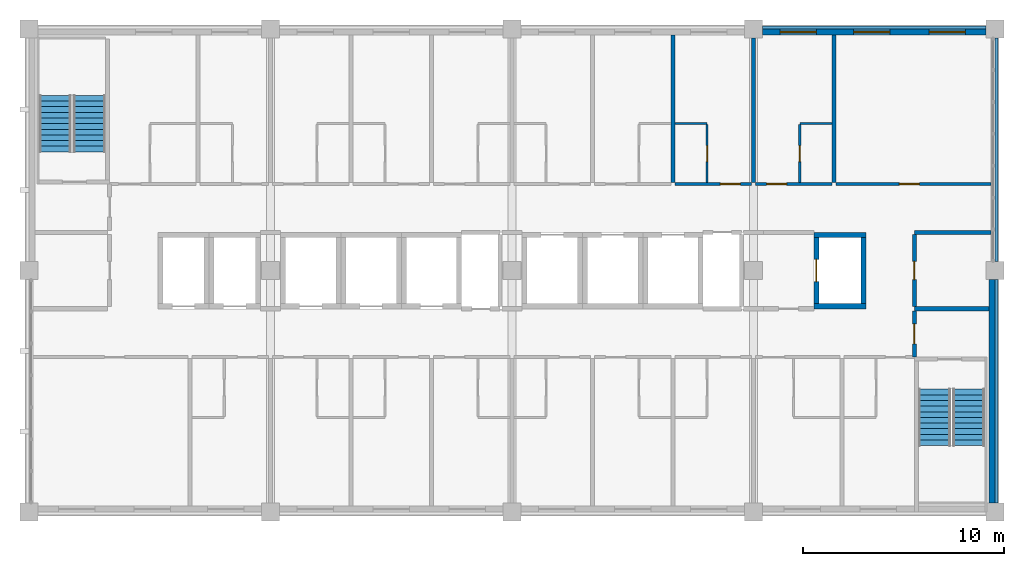
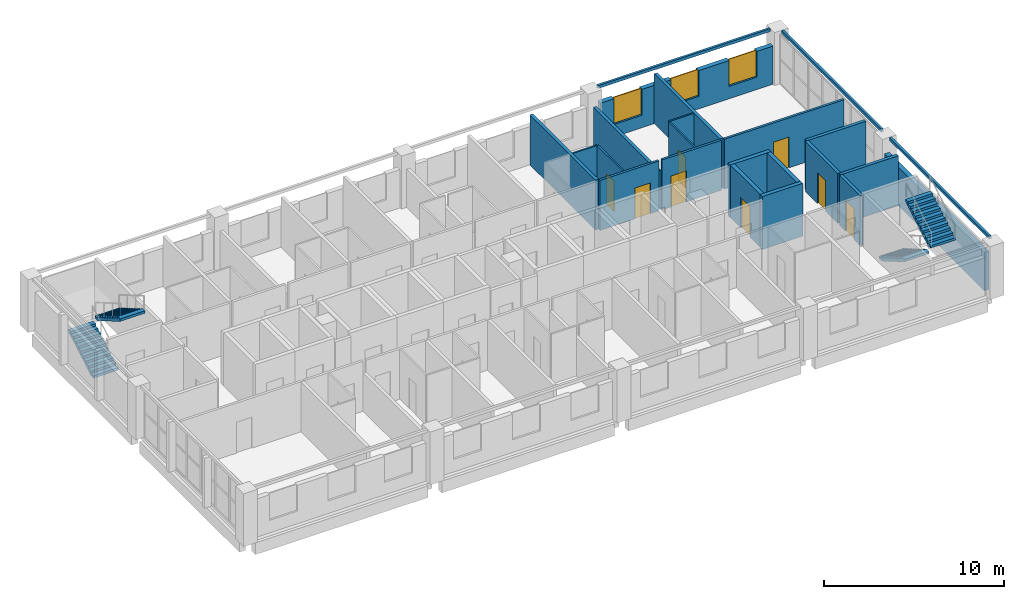
# One storey, part 10 of 11: 23 walls, 8 doors, 4 stair flights, 3 windows, 11 openings, 2 elements without a shape of their own.
"""IFC4 building model written with IfcOpenShell, lengths in metres."""

from ifc_helpers import new_model, si_unit, direction, frame, frame_2d, origin, place, context, subcontext, project, spatial, polyline, rectangle, outline, extrude, material, layer, layer_set, type_object, element, fill, aggregate, save


model = new_model("IFC4")

# Units and contexts
model_context = context("Model", 3, precision=1e-05, world=origin(), true_north=direction((0.0, 1.0)))
body_context = subcontext(model_context, "Body", "Model", "MODEL_VIEW")
ifc_project = project(units=[si_unit("LENGTHUNIT", "METRE"), si_unit("AREAUNIT", "SQUARE_METRE"), si_unit("VOLUMEUNIT", "CUBIC_METRE"), si_unit("PLANEANGLEUNIT", "RADIAN"), si_unit("MASSUNIT", "GRAM", prefix="KILO")], contexts=[model_context])

# Site, building, storey
site_placement = place(None, origin())
site = spatial("IfcSite", under=ifc_project, at=site_placement, CompositionType="ELEMENT")
building_placement = place(site_placement, origin())
building = spatial("IfcBuilding", under=site, at=building_placement, Name="Lilac Gate Convention Centre", CompositionType="ELEMENT")
storey_placement = place(building_placement, frame((0.0, 0.0, 24.60009765625)))
storey = spatial("IfcBuildingStorey", under=building, at=storey_placement, Name="L05", CompositionType="ELEMENT", Elevation=24.60009765625)

# Walls
ifc_material_1 = material(Name="Concrete C60", Category="concrete")
ifc_layer_1 = layer(ifc_material_1, 0.25)
ifc_layer_set_1 = layer_set([ifc_layer_1], Name="Concrete C60")
wall_type_1 = type_object("IfcWallType", Name="Core wall 250 C60", PredefinedType="SHEAR", material=ifc_layer_set_1)
for number, where, z_axis, x_axis, name in (
    (1, (81.0, 232.22509765625, 0.0), (0.0, 0.0, 1.0), (1.0, 0.0, 0.0), "CRW3 core wall TC L05 33"),
    (2, (81.0, 235.77490234375, 0.0), (0.0, 0.0, 1.0), (1.0, 0.0, 0.0), "CRW3 core wall TC L05 34"),
):
    element("IfcWall", number, at=place(storey_placement, frame(where, z_axis=z_axis, x_axis=x_axis)), inside=storey, type_object=wall_type_1, Name=name, PredefinedType="SHEAR", context=body_context, shape_type="SweptSolid", body=[
        extrude(rectangle(XDim=2.60009765625, YDim=0.25, at=frame_2d((1.300048828125, 0.0))), origin(), (0.0, 0.0, 1.0), 3.599853515625),
    ])

# Wall, opening, door
wall_1_placement = place(storey_placement, frame((81.125, 232.35009765625, 0.0), z_axis=(0.0, 0.0, 1.0), x_axis=(0.0, 1.0, 0.0)))
wall_1 = element("IfcWall", 3, at=wall_1_placement, inside=storey, type_object=wall_type_1, Name="CRW3 core wall TC L05 35", PredefinedType="SHEAR", context=body_context, shape_type="SweptSolid", body=[
    extrude(rectangle(XDim=3.2998046875, YDim=0.25, at=frame_2d((1.64990234375, 0.0))), origin(), (0.0, 0.0, 1.0), 3.599853515625),
])
opening_1_placement = place(wall_1_placement, frame((1.10009765625, 0.0, 0.0)))
opening_1 = element("IfcOpeningElement", 4, at=opening_1_placement, cuts=wall_1, Name="Opening T04-054", PredefinedType="OPENING", context=body_context, shape_type="SweptSolid", body=[
    extrude(rectangle(XDim=1.10009765625, YDim=2.10009765625, at=frame_2d((0.550048828125, 1.050048828125))), frame((0.0, 0.135009765625, 0.0), z_axis=(0.0, -1.0, 0.0), x_axis=(1.0, 0.0, 0.0)), (0.0, 0.0, 1.0), 0.27001953125),
])
ifc_material_2 = material(Name="Stainless steel 304", Category="steel")
door_type_1 = type_object("IfcDoorType", Name="Lift landing door 1100", OperationType="SLIDING_TO_LEFT", PredefinedType="DOOR", material=ifc_material_2)
door_1_placement = place(opening_1_placement, origin())
door_1 = element("IfcDoor", 5, at=door_1_placement, inside=storey, type_object=door_type_1, Name="Lift landing door TF1 L05", OperationType="SLIDING_TO_LEFT", OverallHeight=2.10009765625, OverallWidth=1.10009765625, PredefinedType="DOOR", context=body_context, shape_type="SweptSolid", body=[
    extrude(rectangle(XDim=1.10009765625, YDim=2.10009765625, at=frame_2d((0.550048828125, 1.050048828125))), frame((0.0, 0.02490234375, 0.0), z_axis=(0.0, -1.0, 0.0), x_axis=(1.0, 0.0, 0.0)), (0.0, 0.0, 1.0), 0.050048828125),
])
fill(opening_1, door_1)

# Wall
wall_2_placement = place(storey_placement, frame((83.47509765625, 232.35009765625, 0.0), z_axis=(0.0, 0.0, 1.0), x_axis=(0.0, 1.0, 0.0)))
element("IfcWall", 6, at=wall_2_placement, inside=storey, type_object=wall_type_1, Name="CRW3 core wall TC L05 36", PredefinedType="SHEAR", context=body_context, shape_type="SweptSolid", body=[
    extrude(rectangle(XDim=3.2998046875, YDim=0.25, at=frame_2d((1.64990234375, 0.0))), origin(), (0.0, 0.0, 1.0), 3.599853515625),
])

# Wall, opening, door
ifc_material_3 = material(Name="Gypsum board on steel stud", Category="steel")
ifc_layer_2 = layer(ifc_material_3, 0.14990234375)
ifc_layer_set_2 = layer_set([ifc_layer_2], Name="Gypsum board on steel stud")
wall_type_2 = type_object("IfcWallType", Name="Corridor wall 150", PredefinedType="PARTITIONING", material=ifc_layer_set_2)
wall_3_placement = place(storey_placement, frame((74.10009765625, 238.300048828125, 0.0), z_axis=(0.0, 0.0, 1.0), x_axis=(1.0, 0.0, 0.0)))
wall_3 = element("IfcWall", 7, at=wall_3_placement, inside=storey, type_object=wall_type_2, Name="Corridor wall 150 front 0518", PredefinedType="PARTITIONING", context=body_context, shape_type="SweptSolid", body=[
    extrude(rectangle(XDim=3.7998046875, YDim=0.14990234375, at=frame_2d((1.89990234375, 0.0))), origin(), (0.0, 0.0, 1.0), 3.39990234375),
])
opening_2_placement = place(wall_3_placement, frame((2.25, 0.0, 0.0)))
opening_2 = element("IfcOpeningElement", 8, at=opening_2_placement, cuts=wall_3, Name="Opening T04-041", PredefinedType="OPENING", context=body_context, shape_type="SweptSolid", body=[
    extrude(rectangle(XDim=1.0, YDim=2.10009765625, at=frame_2d((0.5, 1.050048828125))), frame((0.0, 0.0849609375, 0.0), z_axis=(0.0, -1.0, 0.0), x_axis=(1.0, 0.0, 0.0)), (0.0, 0.0, 1.0), 0.169921875),
])
ifc_material_4 = material(Name="Timber", Category="wood")
door_type_2 = type_object("IfcDoorType", Name="Guest room entrance door 1000", OperationType="SINGLE_SWING_LEFT", PredefinedType="DOOR", material=ifc_material_4)
door_2_placement = place(opening_2_placement, origin())
door_2 = element("IfcDoor", 9, at=door_2_placement, inside=storey, type_object=door_type_2, Name="Guest room door 0518", OperationType="SINGLE_SWING_LEFT", OverallHeight=2.10009765625, OverallWidth=1.0, PredefinedType="DOOR", context=body_context, shape_type="SweptSolid", body=[
    extrude(rectangle(XDim=1.0, YDim=2.10009765625, at=frame_2d((0.5, 1.050048828125))), frame((0.0, 0.02490234375, 0.0), z_axis=(0.0, -1.0, 0.0), x_axis=(1.0, 0.0, 0.0)), (0.0, 0.0, 1.0), 0.050048828125),
])
fill(opening_2, door_2)

wall_4_placement = place(storey_placement, frame((78.10009765625, 238.300048828125, 0.0), z_axis=(0.0, 0.0, 1.0), x_axis=(1.0, 0.0, 0.0)))
wall_4 = element("IfcWall", 10, at=wall_4_placement, inside=storey, type_object=wall_type_2, Name="Corridor wall 150 front 0519", PredefinedType="PARTITIONING", context=body_context, shape_type="SweptSolid", body=[
    extrude(rectangle(XDim=3.7998046875, YDim=0.14990234375, at=frame_2d((1.89990234375, 0.0))), origin(), (0.0, 0.0, 1.0), 3.39990234375),
])
opening_3_placement = place(wall_4_placement, frame((0.550048828125, 0.0, 0.0)))
opening_3 = element("IfcOpeningElement", 11, at=opening_3_placement, cuts=wall_4, Name="Opening T04-043", PredefinedType="OPENING", context=body_context, shape_type="SweptSolid", body=[
    extrude(rectangle(XDim=1.0, YDim=2.10009765625, at=frame_2d((0.5, 1.050048828125))), frame((0.0, 0.0849609375, 0.0), z_axis=(0.0, -1.0, 0.0), x_axis=(1.0, 0.0, 0.0)), (0.0, 0.0, 1.0), 0.169921875),
])
door_3_placement = place(opening_3_placement, origin())
door_3 = element("IfcDoor", 12, at=door_3_placement, inside=storey, type_object=door_type_2, Name="Guest room door 0519", OperationType="SINGLE_SWING_LEFT", OverallHeight=2.10009765625, OverallWidth=1.0, PredefinedType="DOOR", context=body_context, shape_type="SweptSolid", body=[
    extrude(rectangle(XDim=1.0, YDim=2.10009765625, at=frame_2d((0.5, 1.050048828125))), frame((0.0, 0.02490234375, 0.0), z_axis=(0.0, -1.0, 0.0), x_axis=(1.0, 0.0, 0.0)), (0.0, 0.0, 1.0), 0.050048828125),
])
fill(opening_3, door_3)

wall_5_placement = place(storey_placement, frame((82.10009765625, 238.300048828125, 0.0), z_axis=(0.0, 0.0, 1.0), x_axis=(1.0, 0.0, 0.0)))
wall_5 = element("IfcWall", 13, at=wall_5_placement, inside=storey, type_object=wall_type_2, Name="Corridor wall 150 front 0520", PredefinedType="PARTITIONING", context=body_context, shape_type="SweptSolid", body=[
    extrude(rectangle(XDim=7.69970703125, YDim=0.14990234375, at=frame_2d((3.849853515625, 0.0))), origin(), (0.0, 0.0, 1.0), 3.39990234375),
])
opening_4_placement = place(wall_5_placement, frame((3.14990234375, 0.0, 0.0)))
opening_4 = element("IfcOpeningElement", 14, at=opening_4_placement, cuts=wall_5, Name="Opening T04-045", PredefinedType="OPENING", context=body_context, shape_type="SweptSolid", body=[
    extrude(rectangle(XDim=1.0, YDim=2.10009765625, at=frame_2d((0.5, 1.050048828125))), frame((0.0, 0.0849609375, 0.0), z_axis=(0.0, -1.0, 0.0), x_axis=(1.0, 0.0, 0.0)), (0.0, 0.0, 1.0), 0.169921875),
])
door_type_3 = type_object("IfcDoorType", Name="Room door 1000", OperationType="SINGLE_SWING_LEFT", PredefinedType="DOOR", material=ifc_material_4)
door_4_placement = place(opening_4_placement, origin())
door_4 = element("IfcDoor", 15, at=door_4_placement, inside=storey, type_object=door_type_3, Name="Business Centre door", OperationType="SINGLE_SWING_LEFT", OverallHeight=2.10009765625, OverallWidth=1.0, PredefinedType="DOOR", context=body_context, shape_type="SweptSolid", body=[
    extrude(rectangle(XDim=1.0, YDim=2.10009765625, at=frame_2d((0.5, 1.050048828125))), frame((0.0, 0.02490234375, 0.0), z_axis=(0.0, -1.0, 0.0), x_axis=(1.0, 0.0, 0.0)), (0.0, 0.0, 1.0), 0.050048828125),
])
fill(opening_4, door_4)

# Wall
ifc_layer_3 = layer(ifc_material_3, 0.10009765625)
ifc_layer_set_3 = layer_set([ifc_layer_3], Name="Gypsum board on steel stud")
wall_type_3 = type_object("IfcWallType", Name="En-suite wall 100", PredefinedType="PARTITIONING", material=ifc_layer_set_3)
wall_6_placement = place(storey_placement, frame((74.10009765625, 241.300048828125, 0.0), z_axis=(0.0, 0.0, 1.0), x_axis=(1.0, 0.0, 0.0)))
element("IfcWall", 16, at=wall_6_placement, inside=storey, type_object=wall_type_3, Name="En-suite wall 100 bath 0518", PredefinedType="PARTITIONING", context=body_context, shape_type="SweptSolid", body=[
    extrude(rectangle(XDim=1.599853515625, YDim=0.10009765625, at=frame_2d((0.7998046875, 0.0))), origin(), (0.0, 0.0, 1.0), 3.39990234375),
])

# Wall, opening, door
wall_7_placement = place(storey_placement, frame((75.699951171875, 241.25, 0.0), z_axis=(0.0, 0.0, 1.0), x_axis=(0.0, -1.0, 0.0)))
wall_7 = element("IfcWall", 17, at=wall_7_placement, inside=storey, type_object=wall_type_3, Name="En-suite wall 100 bath side 0518", PredefinedType="PARTITIONING", context=body_context, shape_type="SweptSolid", body=[
    extrude(rectangle(XDim=2.875, YDim=0.10009765625, at=frame_2d((1.4375, 0.0))), origin(), (0.0, 0.0, 1.0), 3.39990234375),
])
opening_5_placement = place(wall_7_placement, frame((1.03759765625, 0.0, 0.0)))
opening_5 = element("IfcOpeningElement", 18, at=opening_5_placement, cuts=wall_7, Name="Opening T04-042", PredefinedType="OPENING", context=body_context, shape_type="SweptSolid", body=[
    extrude(rectangle(XDim=0.800048828125, YDim=2.10009765625, at=frame_2d((0.39990234375, 1.050048828125))), frame((0.0, 0.06005859375, 0.0), z_axis=(0.0, -1.0, 0.0), x_axis=(1.0, 0.0, 0.0)), (0.0, 0.0, 1.0), 0.1201171875),
])
door_type_4 = type_object("IfcDoorType", Name="En-suite door 800", OperationType="SINGLE_SWING_LEFT", PredefinedType="DOOR", material=ifc_material_4)
door_5_placement = place(opening_5_placement, origin())
door_5 = element("IfcDoor", 19, at=door_5_placement, inside=storey, type_object=door_type_4, Name="En-suite door 0518", OperationType="SINGLE_SWING_RIGHT", OverallHeight=2.10009765625, OverallWidth=0.800048828125, PredefinedType="DOOR", context=body_context, shape_type="SweptSolid", body=[
    extrude(rectangle(XDim=0.800048828125, YDim=2.10009765625, at=frame_2d((0.39990234375, 1.050048828125))), frame((0.0, 0.02490234375, 0.0), z_axis=(0.0, -1.0, 0.0), x_axis=(1.0, 0.0, 0.0)), (0.0, 0.0, 1.0), 0.050048828125),
])
fill(opening_5, door_5)

# Wall
wall_8_placement = place(storey_placement, frame((80.300048828125, 241.300048828125, 0.0), z_axis=(0.0, 0.0, 1.0), x_axis=(1.0, 0.0, 0.0)))
element("IfcWall", 20, at=wall_8_placement, inside=storey, type_object=wall_type_3, Name="En-suite wall 100 bath 0519", PredefinedType="PARTITIONING", context=body_context, shape_type="SweptSolid", body=[
    extrude(rectangle(XDim=1.599853515625, YDim=0.10009765625, at=frame_2d((0.7998046875, 0.0))), origin(), (0.0, 0.0, 1.0), 3.39990234375),
])

# Wall, opening, door
wall_9_placement = place(storey_placement, frame((80.300048828125, 238.375, 0.0), z_axis=(0.0, 0.0, 1.0), x_axis=(0.0, 1.0, 0.0)))
wall_9 = element("IfcWall", 21, at=wall_9_placement, inside=storey, type_object=wall_type_3, Name="En-suite wall 100 bath side 0519", PredefinedType="PARTITIONING", context=body_context, shape_type="SweptSolid", body=[
    extrude(rectangle(XDim=2.875, YDim=0.10009765625, at=frame_2d((1.4375, 0.0))), origin(), (0.0, 0.0, 1.0), 3.39990234375),
])
opening_6_placement = place(wall_9_placement, frame((1.03759765625, 0.0, 0.0)))
opening_6 = element("IfcOpeningElement", 22, at=opening_6_placement, cuts=wall_9, Name="Opening T04-044", PredefinedType="OPENING", context=body_context, shape_type="SweptSolid", body=[
    extrude(rectangle(XDim=0.800048828125, YDim=2.10009765625, at=frame_2d((0.39990234375, 1.050048828125))), frame((0.0, 0.06005859375, 0.0), z_axis=(0.0, -1.0, 0.0), x_axis=(1.0, 0.0, 0.0)), (0.0, 0.0, 1.0), 0.1201171875),
])
door_6_placement = place(opening_6_placement, origin())
door_6 = element("IfcDoor", 23, at=door_6_placement, inside=storey, type_object=door_type_4, Name="En-suite door 0519", OperationType="SINGLE_SWING_LEFT", OverallHeight=2.10009765625, OverallWidth=0.800048828125, PredefinedType="DOOR", context=body_context, shape_type="SweptSolid", body=[
    extrude(rectangle(XDim=0.800048828125, YDim=2.10009765625, at=frame_2d((0.39990234375, 1.050048828125))), frame((0.0, 0.02490234375, 0.0), z_axis=(0.0, -1.0, 0.0), x_axis=(1.0, 0.0, 0.0)), (0.0, 0.0, 1.0), 0.050048828125),
])
fill(opening_6, door_6)

# Walls
ifc_layer_4 = layer(ifc_material_3, 0.199951171875)
ifc_layer_set_4 = layer_set([ifc_layer_4], Name="Gypsum board on steel stud")
wall_type_4 = type_object("IfcWallType", Name="Guest room party wall 200", PredefinedType="PARTITIONING", material=ifc_layer_set_4)
wall_10_placement = place(storey_placement, frame((74.0, 245.7001953125, 0.0), z_axis=(0.0, 0.0, 1.0), x_axis=(0.0, -1.0, 0.0)))
element("IfcWall", 24, at=wall_10_placement, inside=storey, type_object=wall_type_4, Name="Guest room party wall 200 party 74.0", PredefinedType="PARTITIONING", context=body_context, shape_type="SweptSolid", body=[
    extrude(rectangle(XDim=7.3251953125, YDim=0.199951171875, at=frame_2d((3.66259765625, 0.0))), origin(), (0.0, 0.0, 1.0), 3.39990234375),
])
wall_11_placement = place(storey_placement, frame((78.0, 245.550048828125, 0.0), z_axis=(0.0, 0.0, 1.0), x_axis=(0.0, -1.0, 0.0)))
element("IfcWall", 25, at=wall_11_placement, inside=storey, type_object=wall_type_4, Name="Guest room party wall 200 party 78.0", PredefinedType="PARTITIONING", context=body_context, shape_type="SweptSolid", body=[
    extrude(rectangle(XDim=7.175048828125, YDim=0.199951171875, at=frame_2d((3.58740234375, 0.0))), origin(), (0.0, 0.0, 1.0), 2.599853515625),
])
wall_12_placement = place(storey_placement, frame((82.0, 245.7001953125, 0.0), z_axis=(0.0, 0.0, 1.0), x_axis=(0.0, -1.0, 0.0)))
element("IfcWall", 26, at=wall_12_placement, inside=storey, type_object=wall_type_4, Name="Guest room party wall 200 party 82.0", PredefinedType="PARTITIONING", context=body_context, shape_type="SweptSolid", body=[
    extrude(rectangle(XDim=7.3251953125, YDim=0.199951171875, at=frame_2d((3.66259765625, 0.0))), origin(), (0.0, 0.0, 1.0), 3.39990234375),
])
ifc_layer_5 = layer(ifc_material_3, 0.199951171875)
ifc_layer_set_5 = layer_set([ifc_layer_5], Name="Gypsum board on steel stud")
wall_type_5 = type_object("IfcWallType", Name="Lobby wall 200", PredefinedType="PARTITIONING", material=ifc_layer_set_5)
wall_13_placement = place(storey_placement, frame((86.0, 232.10009765625, 0.0), z_axis=(0.0, 0.0, 1.0), x_axis=(1.0, 0.0, 0.0)))
element("IfcWall", 27, at=wall_13_placement, inside=storey, type_object=wall_type_5, Name="Lobby wall 200 STL-N", PredefinedType="PARTITIONING", context=body_context, shape_type="SweptSolid", body=[
    extrude(rectangle(XDim=3.7001953125, YDim=0.199951171875, at=frame_2d((1.85009765625, 0.0))), origin(), (0.0, 0.0, 1.0), 3.39990234375),
])

# Wall, opening, door
wall_14_placement = place(storey_placement, frame((86.0, 232.0, 0.0), z_axis=(0.0, 0.0, 1.0), x_axis=(0.0, -1.0, 0.0)))
wall_14 = element("IfcWall", 28, at=wall_14_placement, inside=storey, type_object=wall_type_5, Name="Lobby wall 200 STL-SE-W", PredefinedType="PARTITIONING", context=body_context, shape_type="SweptSolid", body=[
    extrude(rectangle(XDim=2.300048828125, YDim=0.199951171875, at=frame_2d((1.14990234375, 0.0))), origin(), (0.0, 0.0, 1.0), 3.39990234375),
])
opening_7_placement = place(wall_14_placement, frame((0.64990234375, 0.0, 0.0)))
opening_7 = element("IfcOpeningElement", 29, at=opening_7_placement, cuts=wall_14, Name="Opening T04-007", PredefinedType="OPENING", context=body_context, shape_type="SweptSolid", body=[
    extrude(rectangle(XDim=1.0, YDim=2.10009765625, at=frame_2d((0.5, 1.050048828125))), frame((0.0, 0.10986328125, 0.0), z_axis=(0.0, -1.0, 0.0), x_axis=(1.0, 0.0, 0.0)), (0.0, 0.0, 1.0), 0.219970703125),
])
ifc_material_5 = material(Name="Steel Q235B", Category="steel")
door_type_5 = type_object("IfcDoorType", Name="Lobby door 1000", OperationType="SINGLE_SWING_LEFT", PredefinedType="DOOR", material=ifc_material_5)
door_7_placement = place(opening_7_placement, origin())
door_7 = element("IfcDoor", 30, at=door_7_placement, inside=storey, type_object=door_type_5, Name="Stair lobby door SE", OperationType="SINGLE_SWING_LEFT", OverallHeight=2.10009765625, OverallWidth=1.0, PredefinedType="DOOR", context=body_context, shape_type="SweptSolid", body=[
    extrude(rectangle(XDim=1.0, YDim=2.10009765625, at=frame_2d((0.5, 1.050048828125))), frame((0.0, 0.02490234375, 0.0), z_axis=(0.0, -1.0, 0.0), x_axis=(1.0, 0.0, 0.0)), (0.0, 0.0, 1.0), 0.050048828125),
])
fill(opening_7, door_7)

# Walls
ifc_material_6 = material(Name="Concrete C40 precast", Category="concrete")
ifc_layer_6 = layer(ifc_material_6, 0.1298828125)
ifc_material_7 = material(Name="Ochre mineral render")
ifc_layer_7 = layer(ifc_material_7, 0.02001953125)
ifc_layer_set_6 = layer_set([ifc_layer_6, ifc_layer_7], Name="Concrete C40 precast, Ochre mineral render")
wall_type_6 = type_object("IfcWallType", Name="Precast band ochre 150", PredefinedType="STANDARD", material=ifc_layer_set_6)
for number, where, z_axis, x_axis, name in (
    (31, (90.074951171875, 222.449951171875, 3.39990234375), (0.0, 0.0, 1.0), (0.0, 1.0, 0.0), "Precast band E L05 1"),
    (32, (90.074951171875, 234.449951171875, 3.39990234375), (0.0, 0.0, 1.0), (0.0, 1.0, 0.0), "Precast band E L05 2"),
    (33, (89.550048828125, 246.074951171875, 3.39990234375), (0.0, 0.0, 1.0), (-1.0, 0.0, 0.0), "Precast band N L05 1"),
):
    element("IfcWall", number, at=place(storey_placement, frame(where, z_axis=z_axis, x_axis=x_axis)), inside=storey, type_object=wall_type_6, Name=name, PredefinedType="STANDARD", context=body_context, shape_type="SweptSolid", body=[
        extrude(rectangle(XDim=11.10009765625, YDim=0.14990234375, at=frame_2d((5.550048828125, 0.0))), origin(), (0.0, 0.0, 1.0), 0.199951171875),
    ])
ifc_layer_8 = layer(ifc_material_7, 0.02001953125)
ifc_layer_9 = layer(ifc_material_6, 0.06005859375)
ifc_material_8 = material(Name="Ventilated air cavity")
ifc_layer_10 = layer(ifc_material_8, 0.030029296875)
ifc_material_9 = material(Name="Mineral wool insulation")
ifc_layer_11 = layer(ifc_material_9, 0.1201171875)
ifc_material_10 = material(Name="Steel stud Q345 and gypsum lining", Category="steel")
ifc_layer_12 = layer(ifc_material_10, 0.070068359375)
ifc_layer_set_7 = layer_set([ifc_layer_8, ifc_layer_9, ifc_layer_10, ifc_layer_11, ifc_layer_12], Name="Ochre mineral render, Concrete C40 precast, Ventilated air cavity, Mineral wool insulation, Steel stud Q345 and gypsum lining")
wall_type_7 = type_object("IfcWallType", Name="Precast panel wall ochre 300", PredefinedType="STANDARD", material=ifc_layer_set_7)
wall_15_placement = place(storey_placement, frame((89.85009765625, 222.449951171875, 0.0), z_axis=(0.0, 0.0, 1.0), x_axis=(0.0, 1.0, 0.0)))
element("IfcWall", 34, at=wall_15_placement, inside=storey, type_object=wall_type_7, Name="External wall E L05 1", PredefinedType="STANDARD", context=body_context, shape_type="SweptSolid", body=[
    extrude(rectangle(XDim=11.10009765625, YDim=0.300048828125, at=frame_2d((5.550048828125, 0.0))), origin(), (0.0, 0.0, 1.0), 2.599853515625),
])

# Wall, openings, windows
wall_16_placement = place(storey_placement, frame((89.550048828125, 245.85009765625, 0.0), z_axis=(0.0, 0.0, 1.0), x_axis=(-1.0, 0.0, 0.0)))
wall_16 = element("IfcWall", 35, at=wall_16_placement, inside=storey, type_object=wall_type_7, Name="External wall N L05 1", PredefinedType="STANDARD", context=body_context, shape_type="SweptSolid", body=[
    extrude(rectangle(XDim=11.10009765625, YDim=0.300048828125, at=frame_2d((5.550048828125, 0.0))), origin(), (0.0, 0.0, 1.0), 2.599853515625),
])
opening_8_placement = place(wall_16_placement, frame((8.425048828125, 0.0, 0.85009765625)))
opening_8 = element("IfcOpeningElement", 36, at=opening_8_placement, cuts=wall_16, Name="Opening W1", PredefinedType="OPENING", context=body_context, shape_type="SweptSolid", body=[
    extrude(rectangle(XDim=1.800048828125, YDim=1.75, at=frame_2d((0.89990234375, 0.875))), frame((0.0, 0.159912109375, 0.0), z_axis=(0.0, -1.0, 0.0), x_axis=(1.0, 0.0, 0.0)), (0.0, 0.0, 1.0), 0.320068359375),
])
opening_9_placement = place(wall_16_placement, frame((1.02490234375, 0.0, 0.85009765625)))
opening_9 = element("IfcOpeningElement", 37, at=opening_9_placement, cuts=wall_16, Name="Opening W1", PredefinedType="OPENING", context=body_context, shape_type="SweptSolid", body=[
    extrude(rectangle(XDim=1.800048828125, YDim=1.75, at=frame_2d((0.89990234375, 0.875))), frame((0.0, 0.159912109375, 0.0), z_axis=(0.0, -1.0, 0.0), x_axis=(1.0, 0.0, 0.0)), (0.0, 0.0, 1.0), 0.320068359375),
])
opening_10_placement = place(wall_16_placement, frame((4.77490234375, 0.0, 0.85009765625)))
opening_10 = element("IfcOpeningElement", 38, at=opening_10_placement, cuts=wall_16, Name="Opening W1", PredefinedType="OPENING", context=body_context, shape_type="SweptSolid", body=[
    extrude(rectangle(XDim=1.800048828125, YDim=1.75, at=frame_2d((0.89990234375, 0.875))), frame((0.0, 0.159912109375, 0.0), z_axis=(0.0, -1.0, 0.0), x_axis=(1.0, 0.0, 0.0)), (0.0, 0.0, 1.0), 0.320068359375),
])
ifc_material_11 = material(Name="Aluminium framed double glazing", Category="aluminium")
window_type = type_object("IfcWindowType", Name="Guest room window 1800 x 1750", PartitioningType="DOUBLE_PANEL_VERTICAL", PredefinedType="WINDOW", material=ifc_material_11)
window_1_placement = place(opening_8_placement, origin())
window_1 = element("IfcWindow", 39, at=window_1_placement, inside=storey, type_object=window_type, Name="Window Guest N L05", OverallHeight=1.75, OverallWidth=1.800048828125, PartitioningType="SINGLE_PANEL", PredefinedType="WINDOW", context=body_context, shape_type="SweptSolid", body=[
    extrude(rectangle(XDim=1.800048828125, YDim=1.75, at=frame_2d((0.89990234375, 0.875))), frame((0.0, 0.030029296875, 0.0), z_axis=(0.0, -1.0, 0.0), x_axis=(1.0, 0.0, 0.0)), (0.0, 0.0, 1.0), 0.06005859375),
])
fill(opening_8, window_1)
window_2_placement = place(opening_9_placement, origin())
window_2 = element("IfcWindow", 40, at=window_2_placement, inside=storey, type_object=window_type, Name="Window Guest N L05", OverallHeight=1.75, OverallWidth=1.800048828125, PartitioningType="SINGLE_PANEL", PredefinedType="WINDOW", context=body_context, shape_type="SweptSolid", body=[
    extrude(rectangle(XDim=1.800048828125, YDim=1.75, at=frame_2d((0.89990234375, 0.875))), frame((0.0, 0.030029296875, 0.0), z_axis=(0.0, -1.0, 0.0), x_axis=(1.0, 0.0, 0.0)), (0.0, 0.0, 1.0), 0.06005859375),
])
fill(opening_9, window_2)
window_3_placement = place(opening_10_placement, origin())
window_3 = element("IfcWindow", 41, at=window_3_placement, inside=storey, type_object=window_type, Name="Window Guest N L05", OverallHeight=1.75, OverallWidth=1.800048828125, PartitioningType="SINGLE_PANEL", PredefinedType="WINDOW", context=body_context, shape_type="SweptSolid", body=[
    extrude(rectangle(XDim=1.800048828125, YDim=1.75, at=frame_2d((0.89990234375, 0.875))), frame((0.0, 0.030029296875, 0.0), z_axis=(0.0, -1.0, 0.0), x_axis=(1.0, 0.0, 0.0)), (0.0, 0.0, 1.0), 0.06005859375),
])
fill(opening_10, window_3)

# Wall
ifc_layer_13 = layer(ifc_material_3, 0.199951171875)
ifc_layer_set_8 = layer_set([ifc_layer_13], Name="Gypsum board on steel stud")
wall_type_8 = type_object("IfcWallType", Name="Riser and store wall 200", PredefinedType="PARTITIONING", material=ifc_layer_set_8)
wall_17_placement = place(storey_placement, frame((86.0, 235.89990234375, 0.0), z_axis=(0.0, 0.0, 1.0), x_axis=(1.0, 0.0, 0.0)))
element("IfcWall", 42, at=wall_17_placement, inside=storey, type_object=wall_type_8, Name="Riser and store wall 200 STE-N", PredefinedType="PARTITIONING", context=body_context, shape_type="SweptSolid", body=[
    extrude(rectangle(XDim=3.7998046875, YDim=0.199951171875, at=frame_2d((1.89990234375, 0.0))), origin(), (0.0, 0.0, 1.0), 3.39990234375),
])

# Wall, opening, door
wall_18_placement = place(storey_placement, frame((86.0, 235.800048828125, 0.0), z_axis=(0.0, 0.0, 1.0), x_axis=(0.0, -1.0, 0.0)))
wall_18 = element("IfcWall", 43, at=wall_18_placement, inside=storey, type_object=wall_type_8, Name="Riser and store wall 200 STE-W", PredefinedType="PARTITIONING", context=body_context, shape_type="SweptSolid", body=[
    extrude(rectangle(XDim=3.60009765625, YDim=0.199951171875, at=frame_2d((1.800048828125, 0.0))), origin(), (0.0, 0.0, 1.0), 3.39990234375),
])
opening_11_placement = place(wall_18_placement, frame((1.35009765625, 0.0, 0.0)))
opening_11 = element("IfcOpeningElement", 44, at=opening_11_placement, cuts=wall_18, Name="Opening T04-005", PredefinedType="OPENING", context=body_context, shape_type="SweptSolid", body=[
    extrude(rectangle(XDim=0.89990234375, YDim=2.10009765625, at=frame_2d((0.449951171875, 1.050048828125))), frame((0.0, 0.10986328125, 0.0), z_axis=(0.0, -1.0, 0.0), x_axis=(1.0, 0.0, 0.0)), (0.0, 0.0, 1.0), 0.219970703125),
])
door_type_6 = type_object("IfcDoorType", Name="Riser and store door 900", OperationType="SINGLE_SWING_LEFT", PredefinedType="DOOR", material=ifc_material_5)
door_8_placement = place(opening_11_placement, origin())
door_8 = element("IfcDoor", 45, at=door_8_placement, inside=storey, type_object=door_type_6, Name="Linen store door", OperationType="SINGLE_SWING_LEFT", OverallHeight=2.10009765625, OverallWidth=0.89990234375, PredefinedType="DOOR", context=body_context, shape_type="SweptSolid", body=[
    extrude(rectangle(XDim=0.89990234375, YDim=2.10009765625, at=frame_2d((0.449951171875, 1.050048828125))), frame((0.0, 0.02490234375, 0.0), z_axis=(0.0, -1.0, 0.0), x_axis=(1.0, 0.0, 0.0)), (0.0, 0.0, 1.0), 0.050048828125),
])
fill(opening_11, door_8)

# Stair, stair flights
ifc_material_12 = material(Name="Concrete C40", Category="concrete")
stair_type = type_object("IfcStairType", Name="Exit stair", PredefinedType="DOUBLE_RETURN_STAIR", material=ifc_material_12)
stair_1_placement = place(storey_placement, origin())
stair_1 = element("IfcStair", 46, at=stair_1_placement, inside=storey, type_object=stair_type, Name="Exit stair NW L05", PredefinedType="DOUBLE_RETURN_STAIR")
stair_flight_type = type_object("IfcStairFlightType", Name="Exit stair flight", PredefinedType="STRAIGHT", material=ifc_material_12)
stair_flight_1_placement = place(storey_placement, frame((43.300048828125, 239.89990234375, 0.0), z_axis=(0.0, 0.0, 1.0), x_axis=(0.0, 1.0, 0.0)))
stair_flight_1 = element("IfcStairFlight", 47, at=stair_flight_1_placement, type_object=stair_flight_type, Name="ST-NW flight 1", NumberOfRisers=11, NumberOfTreads=10, PredefinedType="STRAIGHT", RiserHeight=0.163636364, TreadLength=0.28, context=body_context, shape_type="SweptSolid", body=[
    extrude(outline(polyline([(0.0, 0.0), (0.0, 0.16357421875), (0.280029296875, 0.16357421875), (0.280029296875, 0.327392578125), (0.56005859375, 0.327392578125), (0.56005859375, 0.490966796875), (0.840087890625, 0.490966796875), (0.840087890625, 0.654541015625), (1.1201171875, 0.654541015625), (1.1201171875, 0.818115234375), (1.39990234375, 0.818115234375), (1.39990234375, 0.98193359375), (1.679931640625, 0.98193359375), (1.679931640625, 1.1455078125), (1.9599609375, 1.1455078125), (1.9599609375, 1.30908203125), (2.239990234375, 1.30908203125), (2.239990234375, 1.47265625), (2.52001953125, 1.47265625), (2.52001953125, 1.636474609375), (2.800048828125, 1.636474609375), (2.800048828125, 1.800048828125), (2.800048828125, 1.462646484375), (0.297119140625, 0.0), (0.0, 0.0)])), frame((0.0, 0.800048828125, 0.0), z_axis=(0.0, -1.0, 0.0), x_axis=(1.0, 0.0, 0.0)), (0.0, 0.0, 1.0), 1.60009765625),
])
stair_flight_2_placement = place(storey_placement, frame((45.0, 242.699951171875, 1.7998046875), z_axis=(0.0, 0.0, 1.0), x_axis=(0.0, -1.0, 0.0)))
stair_flight_2 = element("IfcStairFlight", 48, at=stair_flight_2_placement, type_object=stair_flight_type, Name="ST-NW flight 2", NumberOfRisers=11, NumberOfTreads=10, PredefinedType="STRAIGHT", RiserHeight=0.163636364, TreadLength=0.28, context=body_context, shape_type="SweptSolid", body=[
    extrude(outline(polyline([(0.0, 0.0), (0.0, 0.16357421875), (0.280029296875, 0.16357421875), (0.280029296875, 0.327392578125), (0.56005859375, 0.327392578125), (0.56005859375, 0.490966796875), (0.840087890625, 0.490966796875), (0.840087890625, 0.654541015625), (1.1201171875, 0.654541015625), (1.1201171875, 0.818115234375), (1.39990234375, 0.818115234375), (1.39990234375, 0.98193359375), (1.679931640625, 0.98193359375), (1.679931640625, 1.1455078125), (1.9599609375, 1.1455078125), (1.9599609375, 1.30908203125), (2.239990234375, 1.30908203125), (2.239990234375, 1.47265625), (2.52001953125, 1.47265625), (2.52001953125, 1.636474609375), (2.800048828125, 1.636474609375), (2.800048828125, 1.800048828125), (2.800048828125, 1.462646484375), (0.297119140625, 0.0), (0.0, 0.0)])), frame((0.0, 0.800048828125, 0.0), z_axis=(0.0, -1.0, 0.0), x_axis=(1.0, 0.0, 0.0)), (0.0, 0.0, 1.0), 1.60009765625),
])
aggregate(stair_1, [stair_flight_1, stair_flight_2])

stair_2_placement = place(storey_placement, origin())
stair_2 = element("IfcStair", 49, at=stair_2_placement, inside=storey, type_object=stair_type, Name="Exit stair SE L05", PredefinedType="DOUBLE_RETURN_STAIR")
stair_flight_3_placement = place(storey_placement, frame((87.0, 228.10009765625, 0.0), z_axis=(0.0, 0.0, 1.0), x_axis=(0.0, -1.0, 0.0)))
stair_flight_3 = element("IfcStairFlight", 50, at=stair_flight_3_placement, type_object=stair_flight_type, Name="ST-SE flight 1", NumberOfRisers=11, NumberOfTreads=10, PredefinedType="STRAIGHT", RiserHeight=0.163636364, TreadLength=0.28, context=body_context, shape_type="SweptSolid", body=[
    extrude(outline(polyline([(0.0, 0.0), (0.0, 0.16357421875), (0.280029296875, 0.16357421875), (0.280029296875, 0.327392578125), (0.56005859375, 0.327392578125), (0.56005859375, 0.490966796875), (0.840087890625, 0.490966796875), (0.840087890625, 0.654541015625), (1.1201171875, 0.654541015625), (1.1201171875, 0.818115234375), (1.39990234375, 0.818115234375), (1.39990234375, 0.98193359375), (1.679931640625, 0.98193359375), (1.679931640625, 1.1455078125), (1.9599609375, 1.1455078125), (1.9599609375, 1.30908203125), (2.239990234375, 1.30908203125), (2.239990234375, 1.47265625), (2.52001953125, 1.47265625), (2.52001953125, 1.636474609375), (2.800048828125, 1.636474609375), (2.800048828125, 1.800048828125), (2.800048828125, 1.462646484375), (0.297119140625, 0.0), (0.0, 0.0)])), frame((0.0, 0.800048828125, 0.0), z_axis=(0.0, -1.0, 0.0), x_axis=(1.0, 0.0, 0.0)), (0.0, 0.0, 1.0), 1.60009765625),
])
stair_flight_4_placement = place(storey_placement, frame((88.699951171875, 225.300048828125, 1.7998046875), z_axis=(0.0, 0.0, 1.0), x_axis=(0.0, 1.0, 0.0)))
stair_flight_4 = element("IfcStairFlight", 51, at=stair_flight_4_placement, type_object=stair_flight_type, Name="ST-SE flight 2", NumberOfRisers=11, NumberOfTreads=10, PredefinedType="STRAIGHT", RiserHeight=0.163636364, TreadLength=0.28, context=body_context, shape_type="SweptSolid", body=[
    extrude(outline(polyline([(0.0, 0.0), (0.0, 0.16357421875), (0.280029296875, 0.16357421875), (0.280029296875, 0.327392578125), (0.56005859375, 0.327392578125), (0.56005859375, 0.490966796875), (0.840087890625, 0.490966796875), (0.840087890625, 0.654541015625), (1.1201171875, 0.654541015625), (1.1201171875, 0.818115234375), (1.39990234375, 0.818115234375), (1.39990234375, 0.98193359375), (1.679931640625, 0.98193359375), (1.679931640625, 1.1455078125), (1.9599609375, 1.1455078125), (1.9599609375, 1.30908203125), (2.239990234375, 1.30908203125), (2.239990234375, 1.47265625), (2.52001953125, 1.47265625), (2.52001953125, 1.636474609375), (2.800048828125, 1.636474609375), (2.800048828125, 1.800048828125), (2.800048828125, 1.462646484375), (0.297119140625, 0.0), (0.0, 0.0)])), frame((0.0, 0.800048828125, 0.0), z_axis=(0.0, -1.0, 0.0), x_axis=(1.0, 0.0, 0.0)), (0.0, 0.0, 1.0), 1.60009765625),
])
aggregate(stair_2, [stair_flight_3, stair_flight_4])

save(model, "model.ifc")
